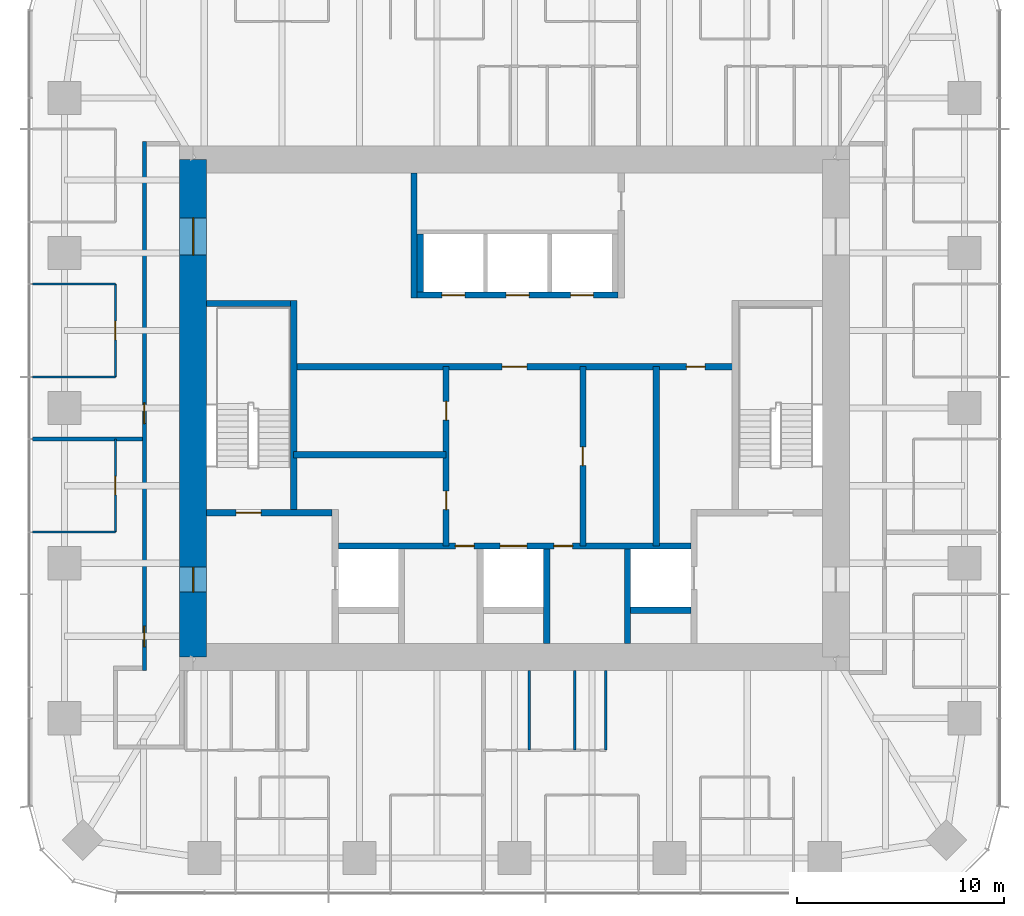
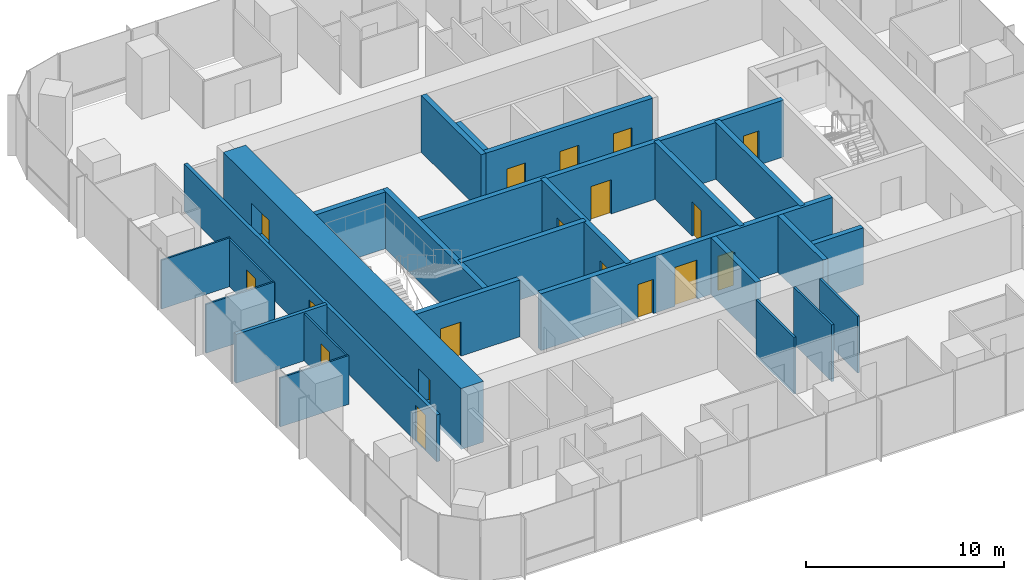
# One storey, part 9 of 12: 26 walls, 18 doors, 18 openings.
"""IFC4 building model written with IfcOpenShell, lengths in metres."""

from ifc_helpers import new_model, si_unit, direction, frame, frame_2d, origin, place, context, subcontext, project, spatial, rectangle, extrude, material, layer, layer_set, type_object, element, fill, save


model = new_model("IFC4")

# Units and contexts
model_context = context("Model", 3, precision=1e-05, world=origin(), true_north=direction((0.0, 1.0)))
body_context = subcontext(model_context, "Body", "Model", "MODEL_VIEW")
ifc_project = project(units=[si_unit("LENGTHUNIT", "METRE"), si_unit("AREAUNIT", "SQUARE_METRE"), si_unit("VOLUMEUNIT", "CUBIC_METRE"), si_unit("PLANEANGLEUNIT", "RADIAN"), si_unit("MASSUNIT", "GRAM", prefix="KILO")], contexts=[model_context])

# Site, building, storey
site_placement = place(None, origin())
site = spatial("IfcSite", under=ifc_project, at=site_placement, CompositionType="ELEMENT")
building_placement = place(site_placement, origin())
building = spatial("IfcBuilding", under=site, at=building_placement, Name="Khuree Lantern Residences", CompositionType="ELEMENT")
storey_placement = place(building_placement, frame((0.0, 0.0, 323.25)))
storey = spatial("IfcBuildingStorey", under=building, at=storey_placement, Name="L81", CompositionType="ELEMENT", Elevation=323.25)

# Walls
ifc_material_1 = material(Name="Moisture-resistant gypsum board on steel studs", Category="steel")
ifc_layer_1 = layer(ifc_material_1, 0.125)
ifc_layer_set_1 = layer_set([ifc_layer_1], Name="BATHROOM WALL BTW125")
wall_type_1 = type_object("IfcWallType", Name="BATHROOM WALL BTW125", PredefinedType="PARTITIONING", material=ifc_layer_set_1)
for number, where, z_axis, x_axis, name in (
    (1, (0.7041015625, -12.64990234375, 0.0), (0.0, 0.0, 1.0), (0.0, -1.0, 0.0), "L81 BATHROOM WALL 04"),
    (2, (2.904052734375, -12.64990234375, 0.0), (0.0, 0.0, 1.0), (0.0, -1.0, 0.0), "L81 BATHROOM WALL 04"),
    (3, (4.404052734375, -12.64990234375, 0.0), (0.0, 0.0, 1.0), (0.0, -1.0, 0.0), "L81 BATHROOM WALL 04"),
):
    element("IfcWall", number, at=place(storey_placement, frame(where, z_axis=z_axis, x_axis=x_axis)), inside=storey, type_object=wall_type_1, Name=name, PredefinedType="PARTITIONING", context=body_context, shape_type="SweptSolid", body=[
        extrude(rectangle(XDim=3.846435546875, YDim=0.125, at=frame_2d((1.92333984375, 0.0))), origin(), (0.0, 0.0, 1.0), 3.5),
    ])

# Wall, openings, doors
ifc_material_2 = material(Name="Dense concrete blockwork", Category="masonry")
ifc_layer_2 = layer(ifc_material_2, 0.300048828125)
ifc_layer_set_2 = layer_set([ifc_layer_2], Name="CORE PARTITION WALL CPW300 EI 120")
wall_type_2 = type_object("IfcWallType", Name="CORE PARTITION WALL CPW300 EI 120", PredefinedType="PARTITIONING", material=ifc_layer_set_2)
wall_1_placement = place(storey_placement, frame((-8.5, -6.64990234375, 0.0), z_axis=(0.0, 0.0, 1.0), x_axis=(1.0, 0.0, 0.0)))
wall_1 = element("IfcWall", 4, at=wall_1_placement, inside=storey, type_object=wall_type_2, Name="L81 CORE WALL FLROW", PredefinedType="PARTITIONING", context=body_context, shape_type="SweptSolid", body=[
    extrude(rectangle(XDim=17.0, YDim=0.300048828125, at=frame_2d((8.5, 0.0))), origin(), (0.0, 0.0, 1.0), 3.5),
])
opening_1_placement = place(wall_1_placement, frame((7.800048828125, 0.0, 0.0)))
opening_1 = element("IfcOpeningElement", 5, at=opening_1_placement, cuts=wall_1, Name="Opening 81-012", PredefinedType="OPENING", context=body_context, shape_type="SweptSolid", body=[
    extrude(rectangle(XDim=1.300048828125, YDim=2.39990234375, at=frame_2d((0.64990234375, 1.199951171875))), frame((0.0, 0.16015625, 0.0), z_axis=(0.0, -1.0, 0.0), x_axis=(1.0, 0.0, 0.0)), (0.0, 0.0, 1.0), 0.320068359375),
])
opening_2_placement = place(wall_1_placement, frame((5.64990234375, 0.0, 0.0)))
opening_2 = element("IfcOpeningElement", 6, at=opening_2_placement, cuts=wall_1, Name="Opening 81-014", PredefinedType="OPENING", context=body_context, shape_type="SweptSolid", body=[
    extrude(rectangle(XDim=0.89990234375, YDim=2.10009765625, at=frame_2d((0.449951171875, 1.050048828125))), frame((0.0, 0.16015625, 0.0), z_axis=(0.0, -1.0, 0.0), x_axis=(1.0, 0.0, 0.0)), (0.0, 0.0, 1.0), 0.320068359375),
])
opening_3_placement = place(wall_1_placement, frame((10.39990234375, 0.0, 0.0)))
opening_3 = element("IfcOpeningElement", 7, at=opening_3_placement, cuts=wall_1, Name="Opening 81-015", PredefinedType="OPENING", context=body_context, shape_type="SweptSolid", body=[
    extrude(rectangle(XDim=0.89990234375, YDim=2.10009765625, at=frame_2d((0.449951171875, 1.050048828125))), frame((0.0, 0.16015625, 0.0), z_axis=(0.0, -1.0, 0.0), x_axis=(1.0, 0.0, 0.0)), (0.0, 0.0, 1.0), 0.320068359375),
])
ifc_material_3 = material(Name="Steel door leaf in steel frame", Category="steel")
door_type_1 = type_object("IfcDoorType", Name="DOOR 900X2100 EI 60", OperationType="SINGLE_SWING_LEFT", PredefinedType="DOOR", material=ifc_material_3)
door_1_placement = place(opening_2_placement, origin())
door_1 = element("IfcDoor", 8, at=door_1_placement, inside=storey, type_object=door_type_1, Name="Refuse chute room door 81-014", OperationType="SINGLE_SWING_LEFT", OverallHeight=2.10009765625, OverallWidth=0.89990234375, PredefinedType="DOOR", context=body_context, shape_type="SweptSolid", body=[
    extrude(rectangle(XDim=0.89990234375, YDim=2.10009765625, at=frame_2d((0.449951171875, 1.050048828125))), frame((0.0, 0.02490234375, 0.0), z_axis=(0.0, -1.0, 0.0), x_axis=(1.0, 0.0, 0.0)), (0.0, 0.0, 1.0), 0.050048828125),
])
fill(opening_2, door_1)
door_type_2 = type_object("IfcDoorType", Name="DOOR 900X2100 EI 60 RIGHT HAND", OperationType="SINGLE_SWING_RIGHT", PredefinedType="DOOR", material=ifc_material_3)
door_2_placement = place(opening_3_placement, origin())
door_2 = element("IfcDoor", 9, at=door_2_placement, inside=storey, type_object=door_type_2, Name="Electrical and plumbing riser door 81-015", OperationType="SINGLE_SWING_RIGHT", OverallHeight=2.10009765625, OverallWidth=0.89990234375, PredefinedType="DOOR", context=body_context, shape_type="SweptSolid", body=[
    extrude(rectangle(XDim=0.89990234375, YDim=2.10009765625, at=frame_2d((0.449951171875, 1.050048828125))), frame((0.0, 0.02490234375, 0.0), z_axis=(0.0, -1.0, 0.0), x_axis=(1.0, 0.0, 0.0)), (0.0, 0.0, 1.0), 0.050048828125),
])
fill(opening_3, door_2)
ifc_material_4 = material(Name="Stainless steel lift landing door", Category="steel")
door_type_3 = type_object("IfcDoorType", Name="LIFT LANDING DOOR 1300X2400 E 60", OperationType="DOUBLE_DOOR_SLIDING", PredefinedType="DOOR", material=ifc_material_4)
door_3_placement = place(opening_1_placement, origin())
door_3 = element("IfcDoor", 10, at=door_3_placement, inside=storey, type_object=door_type_3, Name="Landing door SL1 81-012", OperationType="DOUBLE_DOOR_SLIDING", OverallHeight=2.39990234375, OverallWidth=1.300048828125, PredefinedType="DOOR", context=body_context, shape_type="SweptSolid", body=[
    extrude(rectangle(XDim=1.300048828125, YDim=2.39990234375, at=frame_2d((0.64990234375, 1.199951171875))), frame((0.0, 0.02490234375, 0.0), z_axis=(0.0, -1.0, 0.0), x_axis=(1.0, 0.0, 0.0)), (0.0, 0.0, 1.0), 0.050048828125),
])
fill(opening_1, door_3)

# Walls
for number, where, z_axis, x_axis, name in (
    (11, (1.550048828125, -11.35009765625, 0.0), (0.0, 0.0, 1.0), (0.0, 1.0, 0.0), "L81 CORE WALL SL1E"),
    (12, (5.449951171875, -11.35009765625, 0.0), (0.0, 0.0, 1.0), (0.0, 1.0, 0.0), "L81 CORE WALL FL2W"),
):
    element("IfcWall", number, at=place(storey_placement, frame(where, z_axis=z_axis, x_axis=x_axis)), inside=storey, type_object=wall_type_2, Name=name, PredefinedType="PARTITIONING", context=body_context, shape_type="SweptSolid", body=[
        extrude(rectangle(XDim=4.550048828125, YDim=0.300048828125, at=frame_2d((2.27490234375, 0.0))), origin(), (0.0, 0.0, 1.0), 3.5),
    ])
wall_2_placement = place(storey_placement, frame((5.60009765625, -9.75, 0.0), z_axis=(0.0, 0.0, 1.0), x_axis=(1.0, 0.0, 0.0)))
element("IfcWall", 13, at=wall_2_placement, inside=storey, type_object=wall_type_2, Name="L81 CORE WALL FL2S", PredefinedType="PARTITIONING", context=body_context, shape_type="SweptSolid", body=[
    extrude(rectangle(XDim=2.89990234375, YDim=0.300048828125, at=frame_2d((1.449951171875, 0.0))), origin(), (0.0, 0.0, 1.0), 3.5),
])

# Wall, openings, doors
wall_3_placement = place(storey_placement, frame((-4.699951171875, 5.449951171875, 0.0), z_axis=(0.0, 0.0, 1.0), x_axis=(1.0, 0.0, 0.0)))
wall_3 = element("IfcWall", 14, at=wall_3_placement, inside=storey, type_object=wall_type_2, Name="L81 CORE WALL PHS", PredefinedType="PARTITIONING", context=body_context, shape_type="SweptSolid", body=[
    extrude(rectangle(XDim=9.699951171875, YDim=0.300048828125, at=frame_2d((4.85009765625, 0.0))), origin(), (0.0, 0.0, 1.0), 3.5),
])
opening_4_placement = place(wall_3_placement, frame((1.199951171875, 0.0, 0.0)))
opening_4 = element("IfcOpeningElement", 15, at=opening_4_placement, cuts=wall_3, Name="Opening 81-009", PredefinedType="OPENING", context=body_context, shape_type="SweptSolid", body=[
    extrude(rectangle(XDim=1.10009765625, YDim=2.10009765625, at=frame_2d((0.550048828125, 1.050048828125))), frame((0.0, 0.16015625, 0.0), z_axis=(0.0, -1.0, 0.0), x_axis=(1.0, 0.0, 0.0)), (0.0, 0.0, 1.0), 0.320068359375),
])
opening_5_placement = place(wall_3_placement, frame((4.300048828125, 0.0, 0.0)))
opening_5 = element("IfcOpeningElement", 16, at=opening_5_placement, cuts=wall_3, Name="Opening 81-010", PredefinedType="OPENING", context=body_context, shape_type="SweptSolid", body=[
    extrude(rectangle(XDim=1.10009765625, YDim=2.10009765625, at=frame_2d((0.550048828125, 1.050048828125))), frame((0.0, 0.16015625, 0.0), z_axis=(0.0, -1.0, 0.0), x_axis=(1.0, 0.0, 0.0)), (0.0, 0.0, 1.0), 0.320068359375),
])
opening_6_placement = place(wall_3_placement, frame((7.39990234375, 0.0, 0.0)))
opening_6 = element("IfcOpeningElement", 17, at=opening_6_placement, cuts=wall_3, Name="Opening 81-011", PredefinedType="OPENING", context=body_context, shape_type="SweptSolid", body=[
    extrude(rectangle(XDim=1.10009765625, YDim=2.10009765625, at=frame_2d((0.550048828125, 1.050048828125))), frame((0.0, 0.16015625, 0.0), z_axis=(0.0, -1.0, 0.0), x_axis=(1.0, 0.0, 0.0)), (0.0, 0.0, 1.0), 0.320068359375),
])
door_type_4 = type_object("IfcDoorType", Name="LIFT LANDING DOOR 1100X2100 E 60", OperationType="DOUBLE_DOOR_SLIDING", PredefinedType="DOOR", material=ifc_material_4)
door_4_placement = place(opening_4_placement, origin())
door_4 = element("IfcDoor", 18, at=door_4_placement, inside=storey, type_object=door_type_4, Name="Landing door PH1 81-009", OperationType="DOUBLE_DOOR_SLIDING", OverallHeight=2.10009765625, OverallWidth=1.10009765625, PredefinedType="DOOR", context=body_context, shape_type="SweptSolid", body=[
    extrude(rectangle(XDim=1.10009765625, YDim=2.10009765625, at=frame_2d((0.550048828125, 1.050048828125))), frame((0.0, 0.02490234375, 0.0), z_axis=(0.0, -1.0, 0.0), x_axis=(1.0, 0.0, 0.0)), (0.0, 0.0, 1.0), 0.050048828125),
])
fill(opening_4, door_4)
door_5_placement = place(opening_5_placement, origin())
door_5 = element("IfcDoor", 19, at=door_5_placement, inside=storey, type_object=door_type_4, Name="Landing door PH2 81-010", OperationType="DOUBLE_DOOR_SLIDING", OverallHeight=2.10009765625, OverallWidth=1.10009765625, PredefinedType="DOOR", context=body_context, shape_type="SweptSolid", body=[
    extrude(rectangle(XDim=1.10009765625, YDim=2.10009765625, at=frame_2d((0.550048828125, 1.050048828125))), frame((0.0, 0.02490234375, 0.0), z_axis=(0.0, -1.0, 0.0), x_axis=(1.0, 0.0, 0.0)), (0.0, 0.0, 1.0), 0.050048828125),
])
fill(opening_5, door_5)
door_6_placement = place(opening_6_placement, origin())
door_6 = element("IfcDoor", 20, at=door_6_placement, inside=storey, type_object=door_type_4, Name="Landing door PH3 81-011", OperationType="DOUBLE_DOOR_SLIDING", OverallHeight=2.10009765625, OverallWidth=1.10009765625, PredefinedType="DOOR", context=body_context, shape_type="SweptSolid", body=[
    extrude(rectangle(XDim=1.10009765625, YDim=2.10009765625, at=frame_2d((0.550048828125, 1.050048828125))), frame((0.0, 0.02490234375, 0.0), z_axis=(0.0, -1.0, 0.0), x_axis=(1.0, 0.0, 0.0)), (0.0, 0.0, 1.0), 0.050048828125),
])
fill(opening_6, door_6)

# Wall
wall_4_placement = place(storey_placement, frame((-4.550048828125, 5.60009765625, 0.0), z_axis=(0.0, 0.0, 1.0), x_axis=(0.0, 1.0, 0.0)))
element("IfcWall", 21, at=wall_4_placement, inside=storey, type_object=wall_type_2, Name="L81 CORE WALL PHW", PredefinedType="PARTITIONING", context=body_context, shape_type="SweptSolid", body=[
    extrude(rectangle(XDim=2.7998046875, YDim=0.300048828125, at=frame_2d((1.39990234375, 0.0))), origin(), (0.0, 0.0, 1.0), 3.5),
])

# Wall, openings, doors
wall_5_placement = place(storey_placement, frame((-10.64990234375, 2.0, 0.0), z_axis=(0.0, 0.0, 1.0), x_axis=(1.0, 0.0, 0.0)))
wall_5 = element("IfcWall", 22, at=wall_5_placement, inside=storey, type_object=wall_type_2, Name="L81 CORE WALL LLS", PredefinedType="PARTITIONING", context=body_context, shape_type="SweptSolid", body=[
    extrude(rectangle(XDim=21.2998046875, YDim=0.300048828125, at=frame_2d((10.64990234375, 0.0))), origin(), (0.0, 0.0, 1.0), 3.5),
])
opening_7_placement = place(wall_5_placement, frame((10.050048828125, 0.0, 0.0)))
opening_7 = element("IfcOpeningElement", 23, at=opening_7_placement, cuts=wall_5, Name="Opening 81-013", PredefinedType="OPENING", context=body_context, shape_type="SweptSolid", body=[
    extrude(rectangle(XDim=1.199951171875, YDim=2.10009765625, at=frame_2d((0.60009765625, 1.050048828125))), frame((0.0, 0.16015625, 0.0), z_axis=(0.0, -1.0, 0.0), x_axis=(1.0, 0.0, 0.0)), (0.0, 0.0, 1.0), 0.320068359375),
])
opening_8_placement = place(wall_5_placement, frame((18.94189453125, 0.0, 0.0)))
opening_8 = element("IfcOpeningElement", 24, at=opening_8_placement, cuts=wall_5, Name="Opening 81-019", PredefinedType="OPENING", context=body_context, shape_type="SweptSolid", body=[
    extrude(rectangle(XDim=0.89990234375, YDim=2.10009765625, at=frame_2d((0.449951171875, 1.050048828125))), frame((0.0, 0.16015625, 0.0), z_axis=(0.0, -1.0, 0.0), x_axis=(1.0, 0.0, 0.0)), (0.0, 0.0, 1.0), 0.320068359375),
])
door_type_5 = type_object("IfcDoorType", Name="DOOR 1200X2100 EI 60", OperationType="SINGLE_SWING_LEFT", PredefinedType="DOOR", material=ifc_material_3)
door_7_placement = place(opening_7_placement, origin())
door_7 = element("IfcDoor", 25, at=door_7_placement, inside=storey, type_object=door_type_5, Name="Service lift lobby door 81-013", OperationType="SINGLE_SWING_LEFT", OverallHeight=2.10009765625, OverallWidth=1.199951171875, PredefinedType="DOOR", context=body_context, shape_type="SweptSolid", body=[
    extrude(rectangle(XDim=1.199951171875, YDim=2.10009765625, at=frame_2d((0.60009765625, 1.050048828125))), frame((0.0, 0.02490234375, 0.0), z_axis=(0.0, -1.0, 0.0), x_axis=(1.0, 0.0, 0.0)), (0.0, 0.0, 1.0), 0.050048828125),
])
fill(opening_7, door_7)
ifc_material_5 = material(Name="Timber door leaf in hardwood frame", Category="wood")
door_type_6 = type_object("IfcDoorType", Name="DOOR 900X2100 RIGHT HAND", OperationType="SINGLE_SWING_RIGHT", PredefinedType="DOOR", material=ifc_material_5)
door_8_placement = place(opening_8_placement, origin())
door_8 = element("IfcDoor", 26, at=door_8_placement, inside=storey, type_object=door_type_6, Name="Residents' store door 81-019", OperationType="SINGLE_SWING_RIGHT", OverallHeight=2.10009765625, OverallWidth=0.89990234375, PredefinedType="DOOR", context=body_context, shape_type="SweptSolid", body=[
    extrude(rectangle(XDim=0.89990234375, YDim=2.10009765625, at=frame_2d((0.449951171875, 1.050048828125))), frame((0.0, 0.02490234375, 0.0), z_axis=(0.0, -1.0, 0.0), x_axis=(1.0, 0.0, 0.0)), (0.0, 0.0, 1.0), 0.050048828125),
])
fill(opening_8, door_8)

wall_6_placement = place(storey_placement, frame((-3.300048828125, -6.64990234375, 0.0), z_axis=(0.0, 0.0, 1.0), x_axis=(0.0, 1.0, 0.0)))
wall_6 = element("IfcWall", 27, at=wall_6_placement, inside=storey, type_object=wall_type_2, Name="L81 CORE WALL SVW", PredefinedType="PARTITIONING", context=body_context, shape_type="SweptSolid", body=[
    extrude(rectangle(XDim=8.64990234375, YDim=0.300048828125, at=frame_2d((4.324951171875, 0.0))), origin(), (0.0, 0.0, 1.0), 3.5),
])
opening_9_placement = place(wall_6_placement, frame((1.75, 0.0, 0.0)))
opening_9 = element("IfcOpeningElement", 28, at=opening_9_placement, cuts=wall_6, Name="Opening 81-016", PredefinedType="OPENING", context=body_context, shape_type="SweptSolid", body=[
    extrude(rectangle(XDim=0.89990234375, YDim=2.10009765625, at=frame_2d((0.449951171875, 1.050048828125))), frame((0.0, 0.16015625, 0.0), z_axis=(0.0, -1.0, 0.0), x_axis=(1.0, 0.0, 0.0)), (0.0, 0.0, 1.0), 0.320068359375),
])
opening_10_placement = place(wall_6_placement, frame((6.074951171875, 0.0, 0.0)))
opening_10 = element("IfcOpeningElement", 29, at=opening_10_placement, cuts=wall_6, Name="Opening 81-017", PredefinedType="OPENING", context=body_context, shape_type="SweptSolid", body=[
    extrude(rectangle(XDim=0.89990234375, YDim=2.10009765625, at=frame_2d((0.449951171875, 1.050048828125))), frame((0.0, 0.16015625, 0.0), z_axis=(0.0, -1.0, 0.0), x_axis=(1.0, 0.0, 0.0)), (0.0, 0.0, 1.0), 0.320068359375),
])
door_type_7 = type_object("IfcDoorType", Name="DOOR 900X2100", OperationType="SINGLE_SWING_LEFT", PredefinedType="DOOR", material=ifc_material_5)
door_9_placement = place(opening_9_placement, origin())
door_9 = element("IfcDoor", 30, at=door_9_placement, inside=storey, type_object=door_type_7, Name="Residents' store door 81-016", OperationType="SINGLE_SWING_LEFT", OverallHeight=2.10009765625, OverallWidth=0.89990234375, PredefinedType="DOOR", context=body_context, shape_type="SweptSolid", body=[
    extrude(rectangle(XDim=0.89990234375, YDim=2.10009765625, at=frame_2d((0.449951171875, 1.050048828125))), frame((0.0, 0.02490234375, 0.0), z_axis=(0.0, -1.0, 0.0), x_axis=(1.0, 0.0, 0.0)), (0.0, 0.0, 1.0), 0.050048828125),
])
fill(opening_9, door_9)
door_10_placement = place(opening_10_placement, origin())
door_10 = element("IfcDoor", 31, at=door_10_placement, inside=storey, type_object=door_type_7, Name="Residents' store door 81-017", OperationType="SINGLE_SWING_LEFT", OverallHeight=2.10009765625, OverallWidth=0.89990234375, PredefinedType="DOOR", context=body_context, shape_type="SweptSolid", body=[
    extrude(rectangle(XDim=0.89990234375, YDim=2.10009765625, at=frame_2d((0.449951171875, 1.050048828125))), frame((0.0, 0.02490234375, 0.0), z_axis=(0.0, -1.0, 0.0), x_axis=(1.0, 0.0, 0.0)), (0.0, 0.0, 1.0), 0.050048828125),
])
fill(opening_10, door_10)

# Wall, opening, door
wall_7_placement = place(storey_placement, frame((3.300048828125, -6.64990234375, 0.0), z_axis=(0.0, 0.0, 1.0), x_axis=(0.0, 1.0, 0.0)))
wall_7 = element("IfcWall", 32, at=wall_7_placement, inside=storey, type_object=wall_type_2, Name="L81 CORE WALL SVE", PredefinedType="PARTITIONING", context=body_context, shape_type="SweptSolid", body=[
    extrude(rectangle(XDim=8.64990234375, YDim=0.300048828125, at=frame_2d((4.324951171875, 0.0))), origin(), (0.0, 0.0, 1.0), 3.5),
])
opening_11_placement = place(wall_7_placement, frame((3.875, 0.0, 0.0)))
opening_11 = element("IfcOpeningElement", 33, at=opening_11_placement, cuts=wall_7, Name="Opening 81-018", PredefinedType="OPENING", context=body_context, shape_type="SweptSolid", body=[
    extrude(rectangle(XDim=0.89990234375, YDim=2.10009765625, at=frame_2d((0.449951171875, 1.050048828125))), frame((0.0, 0.16015625, 0.0), z_axis=(0.0, -1.0, 0.0), x_axis=(1.0, 0.0, 0.0)), (0.0, 0.0, 1.0), 0.320068359375),
])
door_11_placement = place(opening_11_placement, origin())
door_11 = element("IfcDoor", 34, at=door_11_placement, inside=storey, type_object=door_type_7, Name="Residents' store door 81-018", OperationType="SINGLE_SWING_LEFT", OverallHeight=2.10009765625, OverallWidth=0.89990234375, PredefinedType="DOOR", context=body_context, shape_type="SweptSolid", body=[
    extrude(rectangle(XDim=0.89990234375, YDim=2.10009765625, at=frame_2d((0.449951171875, 1.050048828125))), frame((0.0, 0.02490234375, 0.0), z_axis=(0.0, -1.0, 0.0), x_axis=(1.0, 0.0, 0.0)), (0.0, 0.0, 1.0), 0.050048828125),
])
fill(opening_11, door_11)

# Walls
wall_8_placement = place(storey_placement, frame((-10.64990234375, -2.25, 0.0), z_axis=(0.0, 0.0, 1.0), x_axis=(1.0, 0.0, 0.0)))
element("IfcWall", 35, at=wall_8_placement, inside=storey, type_object=wall_type_2, Name="L81 CORE WALL WX", PredefinedType="PARTITIONING", context=body_context, shape_type="SweptSolid", body=[
    extrude(rectangle(XDim=7.349853515625, YDim=0.300048828125, at=frame_2d((3.6748046875, 0.0))), origin(), (0.0, 0.0, 1.0), 3.5),
])
wall_9_placement = place(storey_placement, frame((6.833984375, -6.64990234375, 0.0), z_axis=(0.0, 0.0, 1.0), x_axis=(0.0, 1.0, 0.0)))
element("IfcWall", 36, at=wall_9_placement, inside=storey, type_object=wall_type_2, Name="L81 CORE WALL EV", PredefinedType="PARTITIONING", context=body_context, shape_type="SweptSolid", body=[
    extrude(rectangle(XDim=8.64990234375, YDim=0.300048828125, at=frame_2d((4.324951171875, 0.0))), origin(), (0.0, 0.0, 1.0), 3.5),
])
wall_10_placement = place(storey_placement, frame((-4.85009765625, 5.300048828125, 0.0), z_axis=(0.0, 0.0, 1.0), x_axis=(0.0, 1.0, 0.0)))
element("IfcWall", 37, at=wall_10_placement, inside=storey, type_object=wall_type_2, Name="L81 CORE WALL NW", PredefinedType="PARTITIONING", context=body_context, shape_type="SweptSolid", body=[
    extrude(rectangle(XDim=6.050048828125, YDim=0.300048828125, at=frame_2d((3.02490234375, 0.0))), origin(), (0.0, 0.0, 1.0), 3.5),
])

# Wall, openings, doors
ifc_material_6 = material(Name="Gypsum board on steel studs", Category="steel")
ifc_layer_3 = layer(ifc_material_6, 0.199951171875)
ifc_layer_set_3 = layer_set([ifc_layer_3], Name="CORRIDOR WALL CRW200 EI 60")
wall_type_3 = type_object("IfcWallType", Name="CORRIDOR WALL CRW200 EI 60", PredefinedType="PARTITIONING", material=ifc_layer_set_3)
wall_11_placement = place(storey_placement, frame((-17.85009765625, 12.85009765625, 0.0), z_axis=(0.0, 0.0, 1.0), x_axis=(0.0, -1.0, 0.0)))
wall_11 = element("IfcWall", 38, at=wall_11_placement, inside=storey, type_object=wall_type_3, Name="L81 CORRIDOR WALL WEST 1", PredefinedType="PARTITIONING", context=body_context, shape_type="SweptSolid", body=[
    extrude(rectangle(XDim=25.5, YDim=0.199951171875, at=frame_2d((12.75, 0.0))), origin(), (0.0, 0.0, 1.0), 2.89990234375),
])
opening_12_placement = place(wall_11_placement, frame((12.60009765625, 0.0, 0.0)))
opening_12 = element("IfcOpeningElement", 39, at=opening_12_placement, cuts=wall_11, Name="Opening 81-041", PredefinedType="OPENING", context=body_context, shape_type="SweptSolid", body=[
    extrude(rectangle(XDim=1.0, YDim=2.199951171875, at=frame_2d((0.5, 1.10009765625))), frame((0.0, 0.10986328125, 0.0), z_axis=(0.0, -1.0, 0.0), x_axis=(1.0, 0.0, 0.0)), (0.0, 0.0, 1.0), 0.219970703125),
])
opening_13_placement = place(wall_11_placement, frame((23.365966796875, 0.0, 0.0)))
opening_13 = element("IfcOpeningElement", 40, at=opening_13_placement, cuts=wall_11, Name="Opening 81-049", PredefinedType="OPENING", context=body_context, shape_type="SweptSolid", body=[
    extrude(rectangle(XDim=1.0, YDim=2.199951171875, at=frame_2d((0.5, 1.10009765625))), frame((0.0, 0.10986328125, 0.0), z_axis=(0.0, -1.0, 0.0), x_axis=(1.0, 0.0, 0.0)), (0.0, 0.0, 1.0), 0.219970703125),
])
door_type_8 = type_object("IfcDoorType", Name="APARTMENT ENTRANCE DOOR 1000X2200 EI 30S", OperationType="SINGLE_SWING_LEFT", PredefinedType="DOOR", material=ifc_material_5)
door_12_placement = place(opening_12_placement, origin())
door_12 = element("IfcDoor", 41, at=door_12_placement, inside=storey, type_object=door_type_8, Name="Apartment 02 entrance door 81-041", OperationType="SINGLE_SWING_LEFT", OverallHeight=2.199951171875, OverallWidth=1.0, PredefinedType="DOOR", context=body_context, shape_type="SweptSolid", body=[
    extrude(rectangle(XDim=1.0, YDim=2.199951171875, at=frame_2d((0.5, 1.10009765625))), frame((0.0, 0.02490234375, 0.0), z_axis=(0.0, -1.0, 0.0), x_axis=(1.0, 0.0, 0.0)), (0.0, 0.0, 1.0), 0.050048828125),
])
fill(opening_12, door_12)
door_13_placement = place(opening_13_placement, origin())
door_13 = element("IfcDoor", 42, at=door_13_placement, inside=storey, type_object=door_type_8, Name="Apartment 03 entrance door 81-049", OperationType="SINGLE_SWING_LEFT", OverallHeight=2.199951171875, OverallWidth=1.0, PredefinedType="DOOR", context=body_context, shape_type="SweptSolid", body=[
    extrude(rectangle(XDim=1.0, YDim=2.199951171875, at=frame_2d((0.5, 1.10009765625))), frame((0.0, 0.02490234375, 0.0), z_axis=(0.0, -1.0, 0.0), x_axis=(1.0, 0.0, 0.0)), (0.0, 0.0, 1.0), 0.050048828125),
])
fill(opening_13, door_13)

ifc_material_7 = material(Name="Concrete C50/60", Category="concrete")
ifc_layer_4 = layer(ifc_material_7, 1.300048828125)
ifc_layer_set_4 = layer_set([ifc_layer_4], Name="CW1300-C50 CORE WALL C50 1300")
wall_type_4 = type_object("IfcWallType", Name="CW1300-C50 CORE WALL C50 1300", PredefinedType="SHEAR", material=ifc_layer_set_4)
wall_12_placement = place(storey_placement, frame((-15.5, -12.0, -0.25), z_axis=(0.0, 0.0, 1.0), x_axis=(0.0, 1.0, 0.0)))
wall_12 = element("IfcWall", 43, at=wall_12_placement, inside=storey, type_object=wall_type_4, Name="Core wall W", PredefinedType="SHEAR", context=body_context, shape_type="SweptSolid", body=[
    extrude(rectangle(XDim=24.0, YDim=1.300048828125, at=frame_2d((12.0, 0.0))), origin(), (0.0, 0.0, 1.0), 3.75),
])
opening_14_placement = place(wall_12_placement, frame((3.125, 0.0, 0.25)))
opening_14 = element("IfcOpeningElement", 44, at=opening_14_placement, cuts=wall_12, Name="Opening 81-002", PredefinedType="OPENING", context=body_context, shape_type="SweptSolid", body=[
    extrude(rectangle(XDim=1.199951171875, YDim=2.10009765625, at=frame_2d((0.60009765625, 1.050048828125))), frame((0.0, 0.66015625, 0.0), z_axis=(0.0, -1.0, 0.0), x_axis=(1.0, 0.0, 0.0)), (0.0, 0.0, 1.0), 1.320068359375),
])
opening_15_placement = place(wall_12_placement, frame((19.375, 0.0, 0.25)))
opening_15 = element("IfcOpeningElement", 45, at=opening_15_placement, cuts=wall_12, Name="Opening 81-003", PredefinedType="OPENING", context=body_context, shape_type="SweptSolid", body=[
    extrude(rectangle(XDim=1.800048828125, YDim=2.10009765625, at=frame_2d((0.89990234375, 1.050048828125))), frame((0.0, 0.66015625, 0.0), z_axis=(0.0, -1.0, 0.0), x_axis=(1.0, 0.0, 0.0)), (0.0, 0.0, 1.0), 1.320068359375),
])
door_type_9 = type_object("IfcDoorType", Name="LOBBY DOOR 1200X2100 EI 120", OperationType="SINGLE_SWING_LEFT", PredefinedType="DOOR", material=ifc_material_3)
door_14_placement = place(opening_14_placement, origin())
door_14 = element("IfcDoor", 46, at=door_14_placement, inside=storey, type_object=door_type_9, Name="Firefighting lobby door 81-002", OperationType="SINGLE_SWING_LEFT", OverallHeight=2.10009765625, OverallWidth=1.199951171875, PredefinedType="DOOR", context=body_context, shape_type="SweptSolid", body=[
    extrude(rectangle(XDim=1.199951171875, YDim=2.10009765625, at=frame_2d((0.60009765625, 1.050048828125))), frame((0.0, 0.02490234375, 0.0), z_axis=(0.0, -1.0, 0.0), x_axis=(1.0, 0.0, 0.0)), (0.0, 0.0, 1.0), 0.050048828125),
])
fill(opening_14, door_14)
door_type_10 = type_object("IfcDoorType", Name="LOBBY DOUBLE DOOR 1800X2100 EI 60", OperationType="DOUBLE_DOOR_SINGLE_SWING", PredefinedType="DOOR", material=ifc_material_3)
door_15_placement = place(opening_15_placement, origin())
door_15 = element("IfcDoor", 47, at=door_15_placement, inside=storey, type_object=door_type_10, Name="Lift lobby door 81-003", OperationType="DOUBLE_DOOR_SINGLE_SWING", OverallHeight=2.10009765625, OverallWidth=1.800048828125, PredefinedType="DOOR", context=body_context, shape_type="SweptSolid", body=[
    extrude(rectangle(XDim=1.800048828125, YDim=2.10009765625, at=frame_2d((0.89990234375, 1.050048828125))), frame((0.0, 0.02490234375, 0.0), z_axis=(0.0, -1.0, 0.0), x_axis=(1.0, 0.0, 0.0)), (0.0, 0.0, 1.0), 0.050048828125),
])
fill(opening_15, door_15)

# Walls
ifc_layer_5 = layer(ifc_material_6, 0.199951171875)
ifc_layer_set_5 = layer_set([ifc_layer_5], Name="DEMISING WALL DMW200 EI 90")
wall_type_5 = type_object("IfcWallType", Name="DEMISING WALL DMW200 EI 90", PredefinedType="PARTITIONING", material=ifc_layer_set_5)
wall_13_placement = place(storey_placement, frame((-17.949951171875, -1.49609375, 0.0), z_axis=(0.0, 0.0, 1.0), x_axis=(-1.0, 0.0, 0.0)))
element("IfcWall", 48, at=wall_13_placement, inside=storey, type_object=wall_type_5, Name="L81 DEMISING WALL 03", PredefinedType="PARTITIONING", context=body_context, shape_type="SweptSolid", body=[
    extrude(rectangle(XDim=5.300048828125, YDim=0.199951171875, at=frame_2d((2.64990234375, 0.0))), origin(), (0.0, 0.0, 1.0), 3.010009765625),
])
ifc_layer_6 = layer(ifc_material_6, 0.10009765625)
ifc_layer_set_6 = layer_set([ifc_layer_6], Name="PARTITION PT100")
wall_type_6 = type_object("IfcWallType", Name="PARTITION PT100", PredefinedType="PARTITIONING", material=ifc_layer_set_6)
for number, where, z_axis, x_axis, name in (
    (49, (-19.25, 5.98388671875, 0.0), (0.0, 0.0, 1.0), (-1.0, 0.0, 0.0), "L81 PARTITION 02"),
    (50, (-19.25, 1.49609375, 0.0), (0.0, 0.0, 1.0), (-1.0, 0.0, 0.0), "L81 PARTITION 02"),
    (51, (-19.25, -5.98388671875, 0.0), (0.0, 0.0, 1.0), (-1.0, 0.0, 0.0), "L81 PARTITION 03"),
):
    element("IfcWall", number, at=place(storey_placement, frame(where, z_axis=z_axis, x_axis=x_axis)), inside=storey, type_object=wall_type_6, Name=name, PredefinedType="PARTITIONING", context=body_context, shape_type="SweptSolid", body=[
        extrude(rectangle(XDim=4.0, YDim=0.10009765625, at=frame_2d((2.0, 0.0))), origin(), (0.0, 0.0, 1.0), 3.010009765625),
    ])

# Wall, opening, door
wall_14_placement = place(storey_placement, frame((-19.25, 5.98388671875, 0.0), z_axis=(0.0, 0.0, 1.0), x_axis=(0.0, -1.0, 0.0)))
wall_14 = element("IfcWall", 52, at=wall_14_placement, inside=storey, type_object=wall_type_6, Name="L81 PARTITION 02", PredefinedType="PARTITIONING", context=body_context, shape_type="SweptSolid", body=[
    extrude(rectangle(XDim=4.48779296875, YDim=0.10009765625, at=frame_2d((2.243896484375, 0.0))), origin(), (0.0, 0.0, 1.0), 2.909912109375),
])
opening_16_placement = place(wall_14_placement, frame((1.7939453125, 0.0, 0.0)))
opening_16 = element("IfcOpeningElement", 53, at=opening_16_placement, cuts=wall_14, Name="Opening 81-036", PredefinedType="OPENING", context=body_context, shape_type="SweptSolid", body=[
    extrude(rectangle(XDim=0.89990234375, YDim=2.10009765625, at=frame_2d((0.449951171875, 1.050048828125))), frame((0.0, 0.06005859375, 0.0), z_axis=(0.0, -1.0, 0.0), x_axis=(1.0, 0.0, 0.0)), (0.0, 0.0, 1.0), 0.1201171875),
])
door_type_11 = type_object("IfcDoorType", Name="BEDROOM DOOR 900X2100", OperationType="SINGLE_SWING_LEFT", PredefinedType="DOOR", material=ifc_material_5)
door_16_placement = place(opening_16_placement, origin())
door_16 = element("IfcDoor", 54, at=door_16_placement, inside=storey, type_object=door_type_11, Name="Bedroom door 81-036", OperationType="SINGLE_SWING_LEFT", OverallHeight=2.10009765625, OverallWidth=0.89990234375, PredefinedType="DOOR", context=body_context, shape_type="SweptSolid", body=[
    extrude(rectangle(XDim=0.89990234375, YDim=2.10009765625, at=frame_2d((0.449951171875, 1.050048828125))), frame((0.0, 0.02490234375, 0.0), z_axis=(0.0, -1.0, 0.0), x_axis=(1.0, 0.0, 0.0)), (0.0, 0.0, 1.0), 0.050048828125),
])
fill(opening_16, door_16)

wall_15_placement = place(storey_placement, frame((-19.25, -1.49609375, 0.0), z_axis=(0.0, 0.0, 1.0), x_axis=(0.0, -1.0, 0.0)))
wall_15 = element("IfcWall", 55, at=wall_15_placement, inside=storey, type_object=wall_type_6, Name="L81 PARTITION 03", PredefinedType="PARTITIONING", context=body_context, shape_type="SweptSolid", body=[
    extrude(rectangle(XDim=4.48779296875, YDim=0.10009765625, at=frame_2d((2.243896484375, 0.0))), origin(), (0.0, 0.0, 1.0), 2.909912109375),
])
opening_17_placement = place(wall_15_placement, frame((1.7939453125, 0.0, 0.0)))
opening_17 = element("IfcOpeningElement", 56, at=opening_17_placement, cuts=wall_15, Name="Opening 81-042", PredefinedType="OPENING", context=body_context, shape_type="SweptSolid", body=[
    extrude(rectangle(XDim=0.89990234375, YDim=2.10009765625, at=frame_2d((0.449951171875, 1.050048828125))), frame((0.0, 0.06005859375, 0.0), z_axis=(0.0, -1.0, 0.0), x_axis=(1.0, 0.0, 0.0)), (0.0, 0.0, 1.0), 0.1201171875),
])
door_17_placement = place(opening_17_placement, origin())
door_17 = element("IfcDoor", 57, at=door_17_placement, inside=storey, type_object=door_type_11, Name="Bedroom door 81-042", OperationType="SINGLE_SWING_LEFT", OverallHeight=2.10009765625, OverallWidth=0.89990234375, PredefinedType="DOOR", context=body_context, shape_type="SweptSolid", body=[
    extrude(rectangle(XDim=0.89990234375, YDim=2.10009765625, at=frame_2d((0.449951171875, 1.050048828125))), frame((0.0, 0.02490234375, 0.0), z_axis=(0.0, -1.0, 0.0), x_axis=(1.0, 0.0, 0.0)), (0.0, 0.0, 1.0), 0.050048828125),
])
fill(opening_17, door_17)

# Wall
ifc_layer_7 = layer(ifc_material_7, 0.300048828125)
ifc_layer_set_7 = layer_set([ifc_layer_7], Name="STAIR WALL SRW300 C50/60 REI 240")
wall_type_7 = type_object("IfcWallType", Name="STAIR WALL SRW300 C50/60 REI 240", PredefinedType="SOLIDWALL", material=ifc_layer_set_7)
wall_16_placement = place(storey_placement, frame((-10.64990234375, -4.89990234375, 0.0), z_axis=(0.0, 0.0, 1.0), x_axis=(0.0, 1.0, 0.0)))
element("IfcWall", 58, at=wall_16_placement, inside=storey, type_object=wall_type_7, Name="L81 STAIR WALL ST1E", PredefinedType="SOLIDWALL", context=body_context, shape_type="SweptSolid", body=[
    extrude(rectangle(XDim=10.099853515625, YDim=0.300048828125, at=frame_2d((5.0498046875, 0.0))), origin(), (0.0, 0.0, 1.0), 3.5),
])

# Wall, opening, door
wall_17_placement = place(storey_placement, frame((-14.85009765625, -5.050048828125, 0.0), z_axis=(0.0, 0.0, 1.0), x_axis=(1.0, 0.0, 0.0)))
wall_17 = element("IfcWall", 59, at=wall_17_placement, inside=storey, type_object=wall_type_7, Name="L81 STAIR WALL ST1S", PredefinedType="SOLIDWALL", context=body_context, shape_type="SweptSolid", body=[
    extrude(rectangle(XDim=6.050048828125, YDim=0.300048828125, at=frame_2d((3.02490234375, 0.0))), origin(), (0.0, 0.0, 1.0), 3.5),
])
opening_18_placement = place(wall_17_placement, frame((1.425048828125, 0.0, 0.0)))
opening_18 = element("IfcOpeningElement", 60, at=opening_18_placement, cuts=wall_17, Name="Opening 81-001", PredefinedType="OPENING", context=body_context, shape_type="SweptSolid", body=[
    extrude(rectangle(XDim=1.199951171875, YDim=2.10009765625, at=frame_2d((0.60009765625, 1.050048828125))), frame((0.0, 0.16015625, 0.0), z_axis=(0.0, -1.0, 0.0), x_axis=(1.0, 0.0, 0.0)), (0.0, 0.0, 1.0), 0.320068359375),
])
door_type_12 = type_object("IfcDoorType", Name="STAIR DOOR 1200X2100 EI 120", OperationType="SINGLE_SWING_LEFT", PredefinedType="DOOR", material=ifc_material_3)
door_18_placement = place(opening_18_placement, origin())
door_18 = element("IfcDoor", 61, at=door_18_placement, inside=storey, type_object=door_type_12, Name="Stair ST1 door 81-001", OperationType="SINGLE_SWING_LEFT", OverallHeight=2.10009765625, OverallWidth=1.199951171875, PredefinedType="DOOR", context=body_context, shape_type="SweptSolid", body=[
    extrude(rectangle(XDim=1.199951171875, YDim=2.10009765625, at=frame_2d((0.60009765625, 1.050048828125))), frame((0.0, 0.02490234375, 0.0), z_axis=(0.0, -1.0, 0.0), x_axis=(1.0, 0.0, 0.0)), (0.0, 0.0, 1.0), 0.050048828125),
])
fill(opening_18, door_18)

# Wall
wall_18_placement = place(storey_placement, frame((-14.85009765625, 5.050048828125, 0.0), z_axis=(0.0, 0.0, 1.0), x_axis=(1.0, 0.0, 0.0)))
element("IfcWall", 62, at=wall_18_placement, inside=storey, type_object=wall_type_7, Name="L81 STAIR WALL ST1N", PredefinedType="SOLIDWALL", context=body_context, shape_type="SweptSolid", body=[
    extrude(rectangle(XDim=4.050048828125, YDim=0.300048828125, at=frame_2d((2.02490234375, 0.0))), origin(), (0.0, 0.0, 1.0), 3.5),
])

save(model, "model.ifc")
